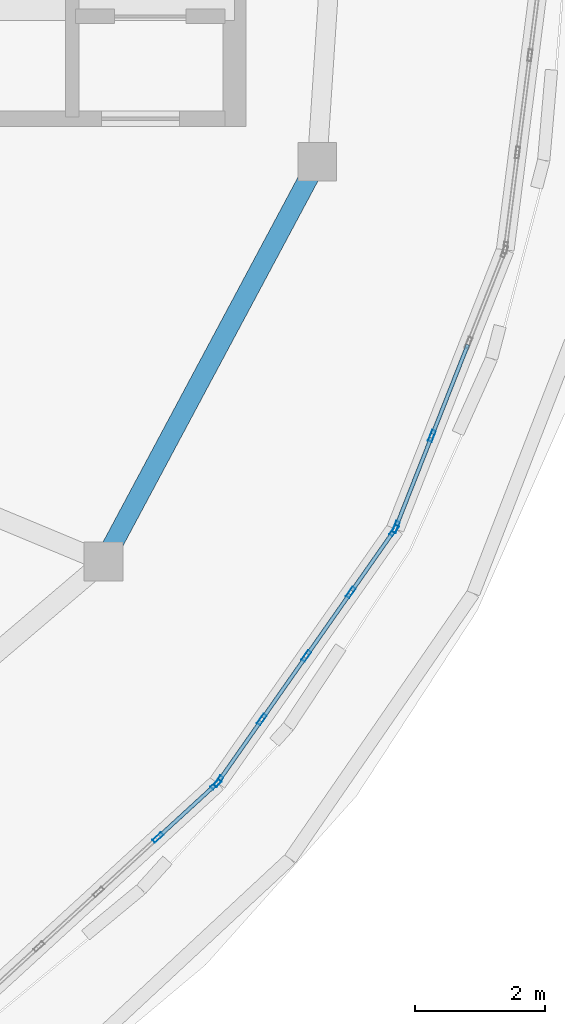
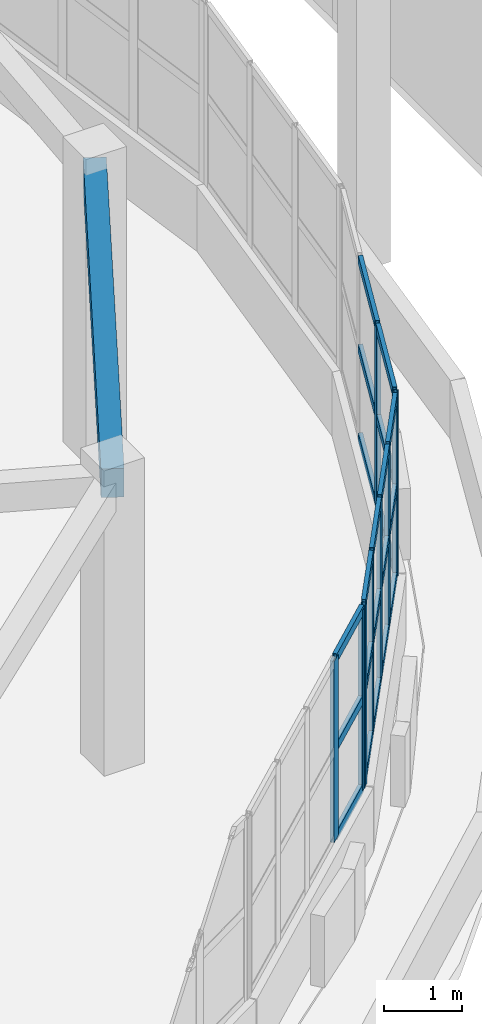
# One storey, part 24 of 69: 30 members, 1 beam, 3 elements without a shape of their own.
"""IFC4 building model written with IfcOpenShell, lengths in metres."""

import ifcopenshell
import ifcopenshell.guid

model = None  # the IFC model being written
_history = None  # IfcOwnerHistory: only IFC2X3 demands one
_inside = {}  # id of a spatial element -> (the spatial element, [elements in it])
_under = {}  # id of a project, library or spatial element -> (it, [spatial elements below it])
_declared = {}  # id of a project -> (the project, [libraries it declares])
_typed = {}  # id of a type object -> (the type object, [elements of that type])
_made_of = {}  # id of a material, layer set ... -> (it, [elements and type objects made of it])


def new_model(schema):
    """Start an empty IFC model of exactly this schema.

    Asked for "IFC4X3", IfcOpenShell would pick the latest addendum, in which some entities
    have other attributes; the version numbers below select the first issue.
    IFC2X3 requires an IfcOwnerHistory on every rooted entity: one is made here for all.
    """
    global model, _history
    if schema == "IFC4X3":
        model = ifcopenshell.file(schema_version=(4, 3, 0, 0))
    else:
        model = ifcopenshell.file(schema=schema)
    _inside.clear()
    _under.clear()
    _declared.clear()
    _typed.clear()
    _made_of.clear()
    _history = None
    if model.schema == "IFC2X3":
        org = make("IfcOrganization", Name="unknown")
        user = make(
            "IfcPersonAndOrganization",
            ThePerson=make("IfcPerson", FamilyName="unknown"),
            TheOrganization=org,
        )
        app = make(
            "IfcApplication",
            ApplicationDeveloper=org,
            Version="unknown",
            ApplicationFullName="unknown",
            ApplicationIdentifier="unknown",
        )
        _history = make(
            "IfcOwnerHistory",
            OwningUser=user,
            OwningApplication=app,
            ChangeAction="ADDED",
            CreationDate=0,
        )
    return model


def make(cls, **values):
    """One entity of the class cls with the attributes given. An attribute that is None is left unset."""
    return model.create_entity(
        cls, **{name: value for name, value in values.items() if value is not None}
    )


def rooted(cls, **values):
    """An entity with a GlobalId (a new one), such as an element, a storey or a relation."""
    return make(cls, GlobalId=ifcopenshell.guid.new(), OwnerHistory=_history, **values)


def si_unit(unit_type, name, prefix=None):
    """IfcSIUnit, for example si_unit("LENGTHUNIT", "METRE", prefix="MILLI")."""
    return make("IfcSIUnit", UnitType=unit_type, Prefix=prefix, Name=name)


def assignment(units):
    """IfcUnitAssignment: the units of a project."""
    return None if units is None else make("IfcUnitAssignment", Units=units)


def point(xyz):
    """IfcCartesianPoint."""
    return None if xyz is None else make("IfcCartesianPoint", Coordinates=xyz)


def direction(xyz):
    """IfcDirection."""
    return None if xyz is None else make("IfcDirection", DirectionRatios=xyz)


def frame(location, z_axis=None, x_axis=None):
    """IfcAxis2Placement3D, a coordinate frame: its origin and axes. An axis left out is left unset."""
    return make(
        "IfcAxis2Placement3D",
        Location=point(location),
        Axis=direction(z_axis),
        RefDirection=direction(x_axis),
    )


def frame_2d(location, x_axis=None):
    """IfcAxis2Placement2D, a coordinate frame in the plane: its origin and x axis."""
    return make(
        "IfcAxis2Placement2D", Location=point(location), RefDirection=direction(x_axis)
    )


def origin():
    """The frame at (0, 0, 0) with its axes left unset."""
    return frame((0.0, 0.0, 0.0))


def origin_2d():
    """The frame at (0, 0) in the plane with its x axis left unset."""
    return frame_2d((0.0, 0.0))


def place(relative_to, where):
    """IfcLocalPlacement: puts the frame where relative to a parent placement (None: the world)."""
    return make(
        "IfcLocalPlacement", PlacementRelTo=relative_to, RelativePlacement=where
    )


def context(
    kind, dimensions, precision=None, world=None, true_north=None, identifier=None
):
    """IfcGeometricRepresentationContext, for example the 3D "Model" context."""
    return make(
        "IfcGeometricRepresentationContext",
        ContextIdentifier=identifier,
        ContextType=kind,
        CoordinateSpaceDimension=dimensions,
        Precision=precision,
        WorldCoordinateSystem=world,
        TrueNorth=true_north,
    )


def subcontext(parent, identifier, kind, view, scale=None):
    """IfcGeometricRepresentationSubContext, for example "Body" below "Model"."""
    return make(
        "IfcGeometricRepresentationSubContext",
        ContextIdentifier=identifier,
        ContextType=kind,
        ParentContext=parent,
        TargetScale=scale,
        TargetView=view,
    )


def project(units=None, contexts=None):
    """IfcProject with its units and contexts."""
    return rooted(
        "IfcProject",
        Name="project",
        RepresentationContexts=contexts,
        UnitsInContext=assignment(units),
    )


def spatial(cls, under=None, at=None, **own):
    """A site, building, storey or space (cls), placed at a placement, below another one or the project."""
    s = rooted(cls, ObjectPlacement=at, **own)
    if under is not None:
        _under.setdefault(under.id(), (under, []))[1].append(s)
    return s


def profile(cls, at=None, kind="AREA", **sizes):
    """A parametric profile (cls). Its sizes go by their IFC names, for example OverallWidth=200.0."""
    return make(cls, ProfileType=kind, Position=at, **sizes)


def rectangle(**sizes):
    """IfcRectangleProfileDef."""
    return profile("IfcRectangleProfileDef", **sizes)


def hollow_rectangle(**sizes):
    """IfcRectangleHollowProfileDef."""
    return profile("IfcRectangleHollowProfileDef", **sizes)


def extrude(swept, where, along, depth):
    """IfcExtrudedAreaSolid: the profile swept, set in the frame where, extruded along a direction by depth."""
    return make(
        "IfcExtrudedAreaSolid",
        SweptArea=swept,
        Position=where,
        ExtrudedDirection=direction(along),
        Depth=depth,
    )


def shape(context_of_items, identifier, shape_type, items):
    """IfcShapeRepresentation: the items that make up one representation, for example the "Body"."""
    return make(
        "IfcShapeRepresentation",
        ContextOfItems=context_of_items,
        RepresentationIdentifier=identifier,
        RepresentationType=shape_type,
        Items=items,
    )


def material(Name=None, Category=None):
    """IfcMaterial."""
    return make("IfcMaterial", Name=Name, Category=Category)


def layer(
    of_material, thickness, ventilated=None, Name=None, Category=None, Priority=None
):
    """IfcMaterialLayer: one layer of a wall or slab, of a material (None: an air gap)."""
    return make(
        "IfcMaterialLayer",
        Material=of_material,
        LayerThickness=thickness,
        IsVentilated=ventilated,
        Name=Name,
        Category=Category,
        Priority=Priority,
    )


def layer_set(layers, Name=None):
    """IfcMaterialLayerSet."""
    return make("IfcMaterialLayerSet", MaterialLayers=layers, LayerSetName=Name)


def material_profile(
    of_material, cross_section, Name=None, Category=None, Priority=None
):
    """IfcMaterialProfile: a cross section and its material."""
    return make(
        "IfcMaterialProfile",
        Name=Name,
        Material=of_material,
        Profile=cross_section,
        Priority=Priority,
        Category=Category,
    )


def profile_set(profiles, Name=None, composite=None):
    """IfcMaterialProfileSet."""
    return make(
        "IfcMaterialProfileSet",
        Name=Name,
        MaterialProfiles=profiles,
        CompositeProfile=composite,
    )


def made_of(thing, what):
    """Note that an element or type object is made of a material, layer set ...; save() writes the relation."""
    if what is not None:
        _made_of.setdefault(what.id(), (what, []))[1].append(thing)
    return thing


def type_object(cls, material=None, **own):
    """A type object (cls), such as IfcWallType, which elements share."""
    return made_of(rooted(cls, **own), material)


def element(
    cls,
    number,
    at=None,
    inside=None,
    cuts=None,
    type_object=None,
    material=None,
    context=None,
    identifier="Body",
    shape_type=None,
    held_by="IfcProductDefinitionShape",
    body=None,
    shapes=None,
    **own,
):
    """One element of the class cls, such as IfcWall. Its Tag is "e" and its number.

    at: its placement. inside: the storey or other place that contains it. cuts: it is an
    opening in that element (IfcRelVoidsElement). A single representation is given by context,
    identifier, shape_type and body (its items); several are given by shapes. held_by: the class
    of the entity that holds the representations. save() writes the other relations.
    """
    e = rooted(cls, Tag="e%d" % number, ObjectPlacement=at, **own)
    if body is not None:
        shapes = [shape(context, identifier, shape_type, body)]
    if shapes is not None:
        e.Representation = make(held_by, Representations=shapes)
    if inside is not None:
        _inside.setdefault(inside.id(), (inside, []))[1].append(e)
    if cuts is not None:
        rooted(
            "IfcRelVoidsElement", RelatingBuildingElement=cuts, RelatedOpeningElement=e
        )
    if type_object is not None:
        _typed.setdefault(type_object.id(), (type_object, []))[1].append(e)
    return made_of(e, material)


def aggregate(whole, parts):
    """IfcRelAggregates: a whole, such as a stair, and the parts it consists of."""
    return rooted("IfcRelAggregates", RelatingObject=whole, RelatedObjects=parts)


def save(model, path):
    """Write the relations noted so far, then the file.

    IfcRelAggregates (storeys below a building ...), IfcRelContainedInSpatialStructure (elements
    in a storey), IfcRelDefinesByType, IfcRelAssociatesMaterial and IfcRelDeclares: one each for
    every whole, place, type object, material and project.
    """
    for whole, parts in _under.values():
        aggregate(whole, parts)
    for where, things in _inside.values():
        rooted(
            "IfcRelContainedInSpatialStructure",
            RelatedElements=things,
            RelatingStructure=where,
        )
    for kind, things in _typed.values():
        rooted("IfcRelDefinesByType", RelatedObjects=things, RelatingType=kind)
    for what, things in _made_of.values():
        rooted("IfcRelAssociatesMaterial", RelatedObjects=things, RelatingMaterial=what)
    for by, libraries in _declared.values():
        rooted("IfcRelDeclares", RelatingContext=by, RelatedDefinitions=libraries)
    model.write(path)


model = new_model("IFC4")

# Units and contexts
model_context = context("Model", 3, precision=1e-05, world=origin(), true_north=direction((0.0, 1.0)))
body_context = subcontext(model_context, "Body", "Model", "MODEL_VIEW")
ifc_project = project(units=[si_unit("LENGTHUNIT", "METRE"), si_unit("AREAUNIT", "SQUARE_METRE"), si_unit("VOLUMEUNIT", "CUBIC_METRE"), si_unit("PLANEANGLEUNIT", "RADIAN"), si_unit("MASSUNIT", "GRAM", prefix="KILO")], contexts=[model_context])

# Site, building, storey
site_placement = place(None, origin())
site = spatial("IfcSite", under=ifc_project, at=site_placement, CompositionType="ELEMENT")
building_placement = place(site_placement, origin())
building = spatial("IfcBuilding", under=site, at=building_placement, Name="Pelvatis Terrace Science Centre", CompositionType="ELEMENT")
storey_placement = place(building_placement, frame((0.0, 0.0, 15.0)))
storey = spatial("IfcBuildingStorey", under=building, at=storey_placement, Name="L03", CompositionType="ELEMENT", Elevation=15.0)

# Beam
ifc_material_1 = material(Name="Concrete C35/45", Category="concrete")
ifc_material_profile_1 = material_profile(ifc_material_1, rectangle(XDim=0.300048828125, YDim=0.449951171875, at=origin_2d()), Name="RC-BM 300x450")
ifc_profile_set_1 = profile_set([ifc_material_profile_1], Name="Concrete C35/45")
beam_type = type_object("IfcBeamType", Name="BM-RC-300x450", PredefinedType="BEAM", material=ifc_profile_set_1)
beam_placement = place(storey_placement, frame((129.57958984375, 74.6884765625, 4.324951171875), z_axis=(0.471365103295, 0.881938172094, 0.0), x_axis=(-0.881938172094, 0.471365103295, 0.0)))
element("IfcBeam", 1, at=beam_placement, inside=storey, type_object=beam_type, Name="Beam BM-L03-3037", PredefinedType="BEAM", context=body_context, shape_type="SweptSolid", body=[
    extrude(rectangle(XDim=0.300048828125, YDim=0.449951171875, at=origin_2d()), origin(), (0.0, 0.0, 1.0), 6.995849609375),
])

# Curtain wall, members
ifc_material_2 = material(Name="Bronze-anodised aluminium and laminated glass", Category="aluminium")
ifc_layer = layer(ifc_material_2, 0.179931640625)
ifc_layer_set = layer_set([ifc_layer], Name="Bronze-anodised aluminium and laminated glass")
curtain_wall_type = type_object("IfcCurtainWallType", Name="CW-RIBBON-A", PredefinedType="NOTDEFINED", material=ifc_layer_set)
curtain_wall_1_placement = place(storey_placement, origin())
curtain_wall_1 = element("IfcCurtainWall", 2, at=curtain_wall_1_placement, inside=storey, type_object=curtain_wall_type, Name="Ribbon curtain wall CW-209 (L03)", PredefinedType="NOTDEFINED")
ifc_material_3 = material(Name="Bronze-anodised aluminium 6063-T6", Category="aluminium")
ifc_material_profile_2 = material_profile(ifc_material_3, hollow_rectangle(XDim=0.06005859375, YDim=0.179931640625, WallThickness=0.00390625, at=origin_2d()), Name="ALU-MUL 60x180")
ifc_profile_set_2 = profile_set([ifc_material_profile_2], Name="Bronze-anodised aluminium 6063-T6")
member_type_1 = type_object("IfcMemberType", Name="CWM-60x180", PredefinedType="MULLION", material=ifc_profile_set_2)
member_1_placement = place(storey_placement, frame((130.418701171875, 70.43359375, 1.02001953125), z_axis=(0.0, 0.0, 1.0), x_axis=(-0.675451772708, 0.737404165127, 0.0)))
member_1 = element("IfcMember", 3, at=member_1_placement, type_object=member_type_1, Name="CW-209 mullion 4", PredefinedType="MULLION", context=body_context, shape_type="SweptSolid", body=[
    extrude(hollow_rectangle(XDim=0.06005859375, YDim=0.179931640625, WallThickness=0.00390625, at=origin_2d()), origin(), (0.0, 0.0, 1.0), 2.85009765625),
])
member_2_placement = place(storey_placement, frame((131.314697265625, 71.254150390625, 1.02001953125), z_axis=(0.0, 0.0, 1.0), x_axis=(-0.675451772708, 0.737404165127, 0.0)))
member_2 = element("IfcMember", 4, at=member_2_placement, type_object=member_type_1, Name="CW-209 mullion 5", PredefinedType="MULLION", context=body_context, shape_type="SweptSolid", body=[
    extrude(hollow_rectangle(XDim=0.06005859375, YDim=0.179931640625, WallThickness=0.00390625, at=origin_2d()), origin(), (0.0, 0.0, 1.0), 2.85009765625),
])

curtain_wall_2_placement = place(storey_placement, origin())
curtain_wall_2 = element("IfcCurtainWall", 5, at=curtain_wall_2_placement, inside=storey, type_object=curtain_wall_type, Name="Ribbon curtain wall CW-210 (L03)", PredefinedType="NOTDEFINED")
member_3_placement = place(storey_placement, frame((131.35400390625, 71.299072265625, 1.02001953125), z_axis=(0.0, 0.0, 1.0), x_axis=(-0.81922799303, 0.573467955021, 0.0)))
member_3 = element("IfcMember", 6, at=member_3_placement, type_object=member_type_1, Name="CW-210 mullion 1", PredefinedType="MULLION", context=body_context, shape_type="SweptSolid", body=[
    extrude(hollow_rectangle(XDim=0.06005859375, YDim=0.179931640625, WallThickness=0.00390625, at=origin_2d()), origin(), (0.0, 0.0, 1.0), 2.85009765625),
])
member_4_placement = place(storey_placement, frame((132.022705078125, 72.25439453125, 1.02001953125), z_axis=(0.0, 0.0, 1.0), x_axis=(-0.81922799303, 0.573467955021, 0.0)))
member_4 = element("IfcMember", 7, at=member_4_placement, type_object=member_type_1, Name="CW-210 mullion 2", PredefinedType="MULLION", context=body_context, shape_type="SweptSolid", body=[
    extrude(hollow_rectangle(XDim=0.06005859375, YDim=0.179931640625, WallThickness=0.00390625, at=origin_2d()), origin(), (0.0, 0.0, 1.0), 2.85009765625),
])
member_5_placement = place(storey_placement, frame((132.708740234375, 73.234375, 1.02001953125), z_axis=(0.0, 0.0, 1.0), x_axis=(-0.81922799303, 0.573467955021, 0.0)))
member_5 = element("IfcMember", 8, at=member_5_placement, type_object=member_type_1, Name="CW-210 mullion 3", PredefinedType="MULLION", context=body_context, shape_type="SweptSolid", body=[
    extrude(hollow_rectangle(XDim=0.06005859375, YDim=0.179931640625, WallThickness=0.00390625, at=origin_2d()), origin(), (0.0, 0.0, 1.0), 2.85009765625),
])
member_6_placement = place(storey_placement, frame((133.39453125, 74.21435546875, 1.02001953125), z_axis=(0.0, 0.0, 1.0), x_axis=(-0.81922799303, 0.573467955021, 0.0)))
member_6 = element("IfcMember", 9, at=member_6_placement, type_object=member_type_1, Name="CW-210 mullion 4", PredefinedType="MULLION", context=body_context, shape_type="SweptSolid", body=[
    extrude(hollow_rectangle(XDim=0.06005859375, YDim=0.179931640625, WallThickness=0.00390625, at=origin_2d()), origin(), (0.0, 0.0, 1.0), 2.85009765625),
])
member_7_placement = place(storey_placement, frame((134.0634765625, 75.169677734375, 1.02001953125), z_axis=(0.0, 0.0, 1.0), x_axis=(-0.81922799303, 0.573467955021, 0.0)))
member_7 = element("IfcMember", 10, at=member_7_placement, type_object=member_type_1, Name="CW-210 mullion 5", PredefinedType="MULLION", context=body_context, shape_type="SweptSolid", body=[
    extrude(hollow_rectangle(XDim=0.06005859375, YDim=0.179931640625, WallThickness=0.00390625, at=origin_2d()), origin(), (0.0, 0.0, 1.0), 2.85009765625),
])

curtain_wall_3_placement = place(storey_placement, origin())
curtain_wall_3 = element("IfcCurtainWall", 11, at=curtain_wall_3_placement, inside=storey, type_object=curtain_wall_type, Name="Ribbon curtain wall CW-211 (L03)", PredefinedType="NOTDEFINED")
member_8_placement = place(storey_placement, frame((134.091552734375, 75.22216796875, 1.02001953125), z_axis=(0.0, 0.0, 1.0), x_axis=(-0.930401915157, 0.366540961248, 0.0)))
member_8 = element("IfcMember", 12, at=member_8_placement, type_object=member_type_1, Name="CW-211 mullion 1", PredefinedType="MULLION", context=body_context, shape_type="SweptSolid", body=[
    extrude(hollow_rectangle(XDim=0.06005859375, YDim=0.179931640625, WallThickness=0.00390625, at=origin_2d()), origin(), (0.0, 0.0, 1.0), 2.85009765625),
])
member_9_placement = place(storey_placement, frame((134.645751953125, 76.629150390625, 1.02001953125), z_axis=(0.0, 0.0, 1.0), x_axis=(-0.930401915157, 0.366540961248, 0.0)))
member_9 = element("IfcMember", 13, at=member_9_placement, type_object=member_type_1, Name="CW-211 mullion 2", PredefinedType="MULLION", context=body_context, shape_type="SweptSolid", body=[
    extrude(hollow_rectangle(XDim=0.06005859375, YDim=0.179931640625, WallThickness=0.00390625, at=origin_2d()), origin(), (0.0, 0.0, 1.0), 2.85009765625),
])

# Member
ifc_material_4 = material(Name="Bronze-anodised aluminium 6063-T6", Category="aluminium")
ifc_material_profile_3 = material_profile(ifc_material_4, hollow_rectangle(XDim=0.06005859375, YDim=0.139892578125, WallThickness=0.00390625, at=origin_2d()), Name="ALU-TRN 60x140")
ifc_profile_set_3 = profile_set([ifc_material_profile_3], Name="Bronze-anodised aluminium 6063-T6")
member_type_2 = type_object("IfcMemberType", Name="CWT-60x140", PredefinedType="USERDEFINED", material=ifc_profile_set_3)
member_10_placement = place(storey_placement, frame((130.44091796875, 70.453857421875, 1.050048828125), z_axis=(0.737399806304, 0.67545653129, 0.0), x_axis=(-0.67545653129, 0.737399806304, 0.0)))
member_10 = element("IfcMember", 14, at=member_10_placement, type_object=member_type_2, Name="CW-209 transom 4.1", ObjectType="TRANSOM", PredefinedType="USERDEFINED", context=body_context, shape_type="SweptSolid", body=[
    extrude(hollow_rectangle(XDim=0.06005859375, YDim=0.139892578125, WallThickness=0.00390625, at=origin_2d()), origin(), (0.0, 0.0, 1.0), 1.15478515625),
])

member_11_placement = place(storey_placement, frame((130.44091796875, 70.453857421875, 2.445068359375), z_axis=(0.737399806304, 0.67545653129, 0.0), x_axis=(-0.67545653129, 0.737399806304, 0.0)))
member_11 = element("IfcMember", 15, at=member_11_placement, type_object=member_type_2, Name="CW-209 transom 4.2", ObjectType="TRANSOM", PredefinedType="USERDEFINED", context=body_context, shape_type="SweptSolid", body=[
    extrude(hollow_rectangle(XDim=0.06005859375, YDim=0.139892578125, WallThickness=0.00390625, at=origin_2d()), origin(), (0.0, 0.0, 1.0), 1.15478515625),
])

member_12_placement = place(storey_placement, frame((130.44091796875, 70.453857421875, 3.840087890625), z_axis=(0.737399806304, 0.67545653129, 0.0), x_axis=(-0.67545653129, 0.737399806304, 0.0)))
member_12 = element("IfcMember", 16, at=member_12_placement, type_object=member_type_2, Name="CW-209 transom 4.3", ObjectType="TRANSOM", PredefinedType="USERDEFINED", context=body_context, shape_type="SweptSolid", body=[
    extrude(hollow_rectangle(XDim=0.06005859375, YDim=0.139892578125, WallThickness=0.00390625, at=origin_2d()), origin(), (0.0, 0.0, 1.0), 1.15478515625),
])

aggregate(curtain_wall_1, [member_1, member_2, member_10, member_11, member_12])

member_13_placement = place(storey_placement, frame((131.37109375, 71.323486328125, 1.050048828125), z_axis=(0.573403092011, 0.819273393973, 0.0), x_axis=(-0.819273393973, 0.573403092011, 0.0)))
member_13 = element("IfcMember", 17, at=member_13_placement, type_object=member_type_2, Name="CW-210 transom 1.1", ObjectType="TRANSOM", PredefinedType="USERDEFINED", context=body_context, shape_type="SweptSolid", body=[
    extrude(hollow_rectangle(XDim=0.06005859375, YDim=0.139892578125, WallThickness=0.00390625, at=origin_2d()), origin(), (0.0, 0.0, 1.0), 1.106201171875),
])

member_14_placement = place(storey_placement, frame((131.37109375, 71.323486328125, 2.445068359375), z_axis=(0.573403092011, 0.819273393973, 0.0), x_axis=(-0.819273393973, 0.573403092011, 0.0)))
member_14 = element("IfcMember", 18, at=member_14_placement, type_object=member_type_2, Name="CW-210 transom 1.2", ObjectType="TRANSOM", PredefinedType="USERDEFINED", context=body_context, shape_type="SweptSolid", body=[
    extrude(hollow_rectangle(XDim=0.06005859375, YDim=0.139892578125, WallThickness=0.00390625, at=origin_2d()), origin(), (0.0, 0.0, 1.0), 1.106201171875),
])

member_15_placement = place(storey_placement, frame((131.37109375, 71.323486328125, 3.840087890625), z_axis=(0.573403092011, 0.819273393973, 0.0), x_axis=(-0.819273393973, 0.573403092011, 0.0)))
member_15 = element("IfcMember", 19, at=member_15_placement, type_object=member_type_2, Name="CW-210 transom 1.3", ObjectType="TRANSOM", PredefinedType="USERDEFINED", context=body_context, shape_type="SweptSolid", body=[
    extrude(hollow_rectangle(XDim=0.06005859375, YDim=0.139892578125, WallThickness=0.00390625, at=origin_2d()), origin(), (0.0, 0.0, 1.0), 1.106201171875),
])

member_16_placement = place(storey_placement, frame((132.039794921875, 72.27880859375, 1.050048828125), z_axis=(0.573447924478, 0.81924201425, 0.0), x_axis=(-0.81924201425, 0.573447924478, 0.0)))
member_16 = element("IfcMember", 20, at=member_16_placement, type_object=member_type_2, Name="CW-210 transom 2.1", ObjectType="TRANSOM", PredefinedType="USERDEFINED", context=body_context, shape_type="SweptSolid", body=[
    extrude(hollow_rectangle(XDim=0.06005859375, YDim=0.139892578125, WallThickness=0.00390625, at=origin_2d()), origin(), (0.0, 0.0, 1.0), 1.13623046875),
])

member_17_placement = place(storey_placement, frame((132.039794921875, 72.27880859375, 2.445068359375), z_axis=(0.573447924478, 0.81924201425, 0.0), x_axis=(-0.81924201425, 0.573447924478, 0.0)))
member_17 = element("IfcMember", 21, at=member_17_placement, type_object=member_type_2, Name="CW-210 transom 2.2", ObjectType="TRANSOM", PredefinedType="USERDEFINED", context=body_context, shape_type="SweptSolid", body=[
    extrude(hollow_rectangle(XDim=0.06005859375, YDim=0.139892578125, WallThickness=0.00390625, at=origin_2d()), origin(), (0.0, 0.0, 1.0), 1.13623046875),
])

member_18_placement = place(storey_placement, frame((132.039794921875, 72.27880859375, 3.840087890625), z_axis=(0.573447924478, 0.81924201425, 0.0), x_axis=(-0.81924201425, 0.573447924478, 0.0)))
member_18 = element("IfcMember", 22, at=member_18_placement, type_object=member_type_2, Name="CW-210 transom 2.3", ObjectType="TRANSOM", PredefinedType="USERDEFINED", context=body_context, shape_type="SweptSolid", body=[
    extrude(hollow_rectangle(XDim=0.06005859375, YDim=0.139892578125, WallThickness=0.00390625, at=origin_2d()), origin(), (0.0, 0.0, 1.0), 1.13623046875),
])

member_19_placement = place(storey_placement, frame((132.725830078125, 73.2587890625, 1.050048828125), z_axis=(0.573447924478, 0.81924201425, 0.0), x_axis=(-0.81924201425, 0.573447924478, 0.0)))
member_19 = element("IfcMember", 23, at=member_19_placement, type_object=member_type_2, Name="CW-210 transom 3.1", ObjectType="TRANSOM", PredefinedType="USERDEFINED", context=body_context, shape_type="SweptSolid", body=[
    extrude(hollow_rectangle(XDim=0.06005859375, YDim=0.139892578125, WallThickness=0.00390625, at=origin_2d()), origin(), (0.0, 0.0, 1.0), 1.13623046875),
])

member_20_placement = place(storey_placement, frame((132.725830078125, 73.2587890625, 2.445068359375), z_axis=(0.573447924478, 0.81924201425, 0.0), x_axis=(-0.81924201425, 0.573447924478, 0.0)))
member_20 = element("IfcMember", 24, at=member_20_placement, type_object=member_type_2, Name="CW-210 transom 3.2", ObjectType="TRANSOM", PredefinedType="USERDEFINED", context=body_context, shape_type="SweptSolid", body=[
    extrude(hollow_rectangle(XDim=0.06005859375, YDim=0.139892578125, WallThickness=0.00390625, at=origin_2d()), origin(), (0.0, 0.0, 1.0), 1.13623046875),
])

member_21_placement = place(storey_placement, frame((132.725830078125, 73.2587890625, 3.840087890625), z_axis=(0.573447924478, 0.81924201425, 0.0), x_axis=(-0.81924201425, 0.573447924478, 0.0)))
member_21 = element("IfcMember", 25, at=member_21_placement, type_object=member_type_2, Name="CW-210 transom 3.3", ObjectType="TRANSOM", PredefinedType="USERDEFINED", context=body_context, shape_type="SweptSolid", body=[
    extrude(hollow_rectangle(XDim=0.06005859375, YDim=0.139892578125, WallThickness=0.00390625, at=origin_2d()), origin(), (0.0, 0.0, 1.0), 1.13623046875),
])

member_22_placement = place(storey_placement, frame((133.411865234375, 74.23876953125, 1.050048828125), z_axis=(0.573403092011, 0.819273393973, 0.0), x_axis=(-0.819273393973, 0.573403092011, 0.0)))
member_22 = element("IfcMember", 26, at=member_22_placement, type_object=member_type_2, Name="CW-210 transom 4.1", ObjectType="TRANSOM", PredefinedType="USERDEFINED", context=body_context, shape_type="SweptSolid", body=[
    extrude(hollow_rectangle(XDim=0.06005859375, YDim=0.139892578125, WallThickness=0.00390625, at=origin_2d()), origin(), (0.0, 0.0, 1.0), 1.106201171875),
])

member_23_placement = place(storey_placement, frame((133.411865234375, 74.23876953125, 2.445068359375), z_axis=(0.573403092011, 0.819273393973, 0.0), x_axis=(-0.819273393973, 0.573403092011, 0.0)))
member_23 = element("IfcMember", 27, at=member_23_placement, type_object=member_type_2, Name="CW-210 transom 4.2", ObjectType="TRANSOM", PredefinedType="USERDEFINED", context=body_context, shape_type="SweptSolid", body=[
    extrude(hollow_rectangle(XDim=0.06005859375, YDim=0.139892578125, WallThickness=0.00390625, at=origin_2d()), origin(), (0.0, 0.0, 1.0), 1.106201171875),
])

member_24_placement = place(storey_placement, frame((133.411865234375, 74.23876953125, 3.840087890625), z_axis=(0.573403092011, 0.819273393973, 0.0), x_axis=(-0.819273393973, 0.573403092011, 0.0)))
member_24 = element("IfcMember", 28, at=member_24_placement, type_object=member_type_2, Name="CW-210 transom 4.3", ObjectType="TRANSOM", PredefinedType="USERDEFINED", context=body_context, shape_type="SweptSolid", body=[
    extrude(hollow_rectangle(XDim=0.06005859375, YDim=0.139892578125, WallThickness=0.00390625, at=origin_2d()), origin(), (0.0, 0.0, 1.0), 1.106201171875),
])

aggregate(curtain_wall_2, [member_3, member_4, member_5, member_6, member_7, member_13, member_14, member_15, member_16, member_17, member_18, member_19, member_20, member_21, member_22, member_23, member_24])

member_25_placement = place(storey_placement, frame((134.1025390625, 75.25, 1.050048828125), z_axis=(0.366515697741, 0.930411867567, 0.0), x_axis=(-0.930411867567, 0.366515697741, 0.0)))
member_25 = element("IfcMember", 29, at=member_25_placement, type_object=member_type_2, Name="CW-211 transom 1.1", ObjectType="TRANSOM", PredefinedType="USERDEFINED", context=body_context, shape_type="SweptSolid", body=[
    extrude(hollow_rectangle(XDim=0.06005859375, YDim=0.139892578125, WallThickness=0.00390625, at=origin_2d()), origin(), (0.0, 0.0, 1.0), 1.4521484375),
])

member_26_placement = place(storey_placement, frame((134.1025390625, 75.25, 2.445068359375), z_axis=(0.366515697741, 0.930411867567, 0.0), x_axis=(-0.930411867567, 0.366515697741, 0.0)))
member_26 = element("IfcMember", 30, at=member_26_placement, type_object=member_type_2, Name="CW-211 transom 1.2", ObjectType="TRANSOM", PredefinedType="USERDEFINED", context=body_context, shape_type="SweptSolid", body=[
    extrude(hollow_rectangle(XDim=0.06005859375, YDim=0.139892578125, WallThickness=0.00390625, at=origin_2d()), origin(), (0.0, 0.0, 1.0), 1.4521484375),
])

member_27_placement = place(storey_placement, frame((134.1025390625, 75.25, 3.840087890625), z_axis=(0.366515697741, 0.930411867567, 0.0), x_axis=(-0.930411867567, 0.366515697741, 0.0)))
member_27 = element("IfcMember", 31, at=member_27_placement, type_object=member_type_2, Name="CW-211 transom 1.3", ObjectType="TRANSOM", PredefinedType="USERDEFINED", context=body_context, shape_type="SweptSolid", body=[
    extrude(hollow_rectangle(XDim=0.06005859375, YDim=0.139892578125, WallThickness=0.00390625, at=origin_2d()), origin(), (0.0, 0.0, 1.0), 1.4521484375),
])

member_28_placement = place(storey_placement, frame((134.656982421875, 76.656982421875, 1.050048828125), z_axis=(0.366528839649, 0.930406690488, 0.0), x_axis=(-0.930406690488, 0.366528839649, 0.0)))
member_28 = element("IfcMember", 32, at=member_28_placement, type_object=member_type_2, Name="CW-211 transom 2.1", ObjectType="TRANSOM", PredefinedType="USERDEFINED", context=body_context, shape_type="SweptSolid", body=[
    extrude(hollow_rectangle(XDim=0.06005859375, YDim=0.139892578125, WallThickness=0.00390625, at=origin_2d()), origin(), (0.0, 0.0, 1.0), 1.48193359375),
])

member_29_placement = place(storey_placement, frame((134.656982421875, 76.656982421875, 2.445068359375), z_axis=(0.366528839649, 0.930406690488, 0.0), x_axis=(-0.930406690488, 0.366528839649, 0.0)))
member_29 = element("IfcMember", 33, at=member_29_placement, type_object=member_type_2, Name="CW-211 transom 2.2", ObjectType="TRANSOM", PredefinedType="USERDEFINED", context=body_context, shape_type="SweptSolid", body=[
    extrude(hollow_rectangle(XDim=0.06005859375, YDim=0.139892578125, WallThickness=0.00390625, at=origin_2d()), origin(), (0.0, 0.0, 1.0), 1.48193359375),
])

member_30_placement = place(storey_placement, frame((134.656982421875, 76.656982421875, 3.840087890625), z_axis=(0.366528839649, 0.930406690488, 0.0), x_axis=(-0.930406690488, 0.366528839649, 0.0)))
member_30 = element("IfcMember", 34, at=member_30_placement, type_object=member_type_2, Name="CW-211 transom 2.3", ObjectType="TRANSOM", PredefinedType="USERDEFINED", context=body_context, shape_type="SweptSolid", body=[
    extrude(hollow_rectangle(XDim=0.06005859375, YDim=0.139892578125, WallThickness=0.00390625, at=origin_2d()), origin(), (0.0, 0.0, 1.0), 1.48193359375),
])

aggregate(curtain_wall_3, [member_8, member_9, member_25, member_26, member_27, member_28, member_29, member_30])

save(model, "model.ifc")
